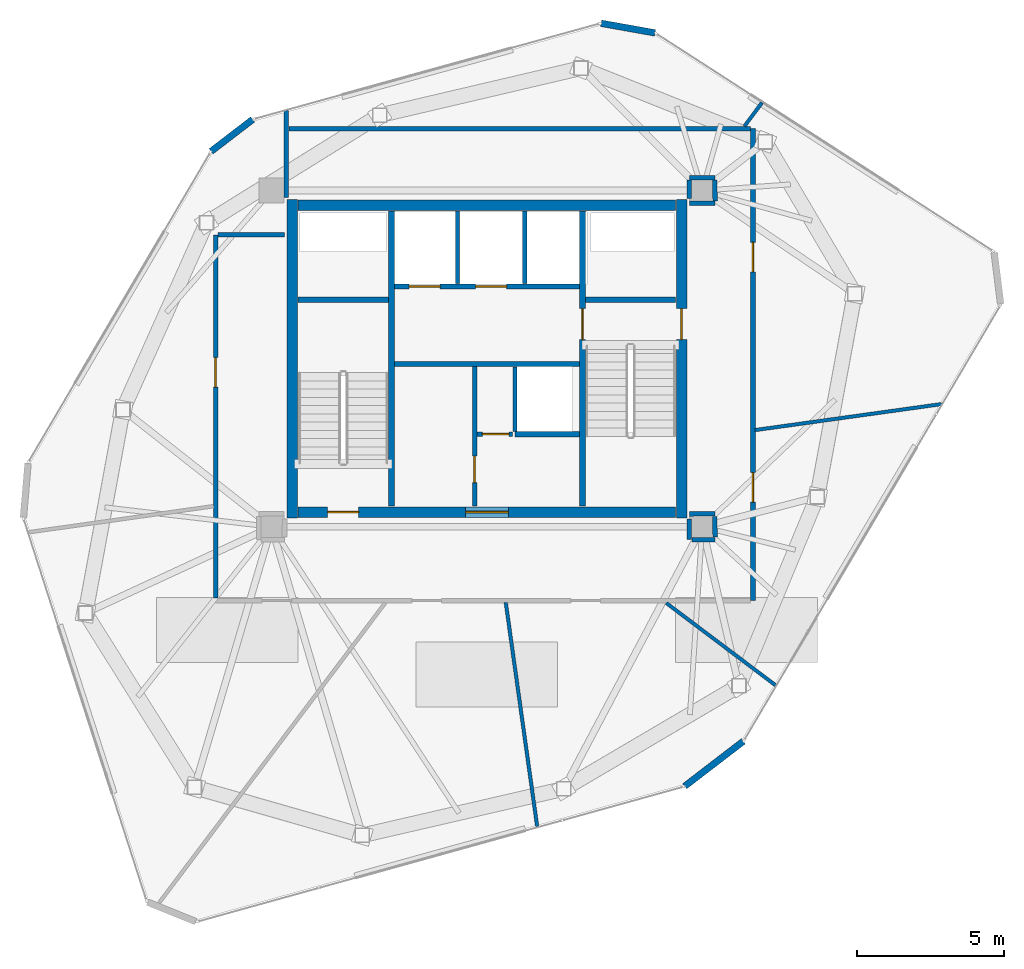
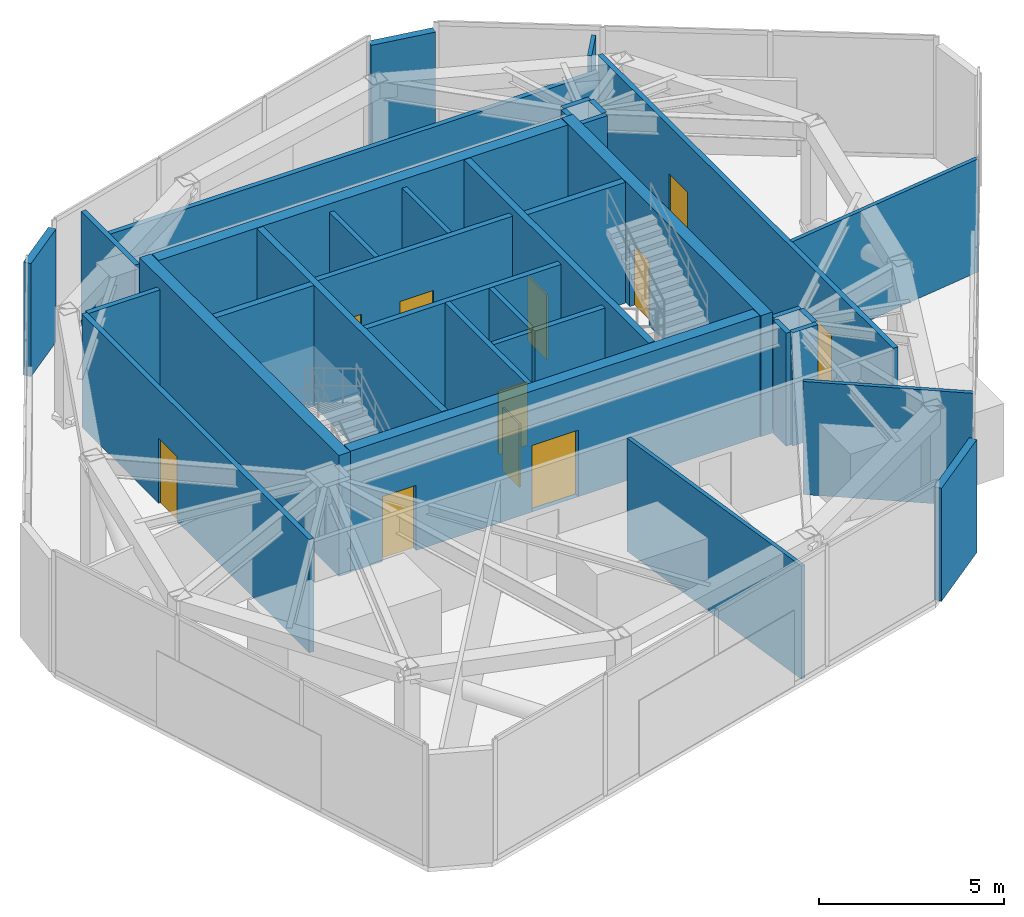
# One storey, part 16 of 19: 36 walls, 11 doors, 11 openings.
"""IFC4 building model written with IfcOpenShell, lengths in metres."""

from ifc_helpers import new_model, si_unit, direction, frame, frame_2d, origin, place, context, subcontext, project, spatial, rectangle, extrude, source, transform, mapped, material, layer, layer_set, type_object, type_shapes, element, fill, save


model = new_model("IFC4")

# Units and contexts
model_context = context("Model", 3, precision=1e-05, world=origin(), true_north=direction((0.0, 1.0)))
body_context = subcontext(model_context, "Body", "Model", "MODEL_VIEW")
ifc_project = project(units=[si_unit("LENGTHUNIT", "METRE"), si_unit("AREAUNIT", "SQUARE_METRE"), si_unit("VOLUMEUNIT", "CUBIC_METRE"), si_unit("PLANEANGLEUNIT", "RADIAN"), si_unit("MASSUNIT", "GRAM", prefix="KILO")], contexts=[model_context])

# Site, building, storey
site_placement = place(None, origin())
site = spatial("IfcSite", under=ifc_project, at=site_placement, CompositionType="ELEMENT")
building_placement = place(site_placement, origin())
building = spatial("IfcBuilding", under=site, at=building_placement, Name="Talar Marvaseh", CompositionType="ELEMENT")
storey_placement = place(building_placement, frame((0.0, 0.0, 296.0)))
storey = spatial("IfcBuildingStorey", under=building, at=storey_placement, Name="L79", CompositionType="ELEMENT", Elevation=296.0)

# Walls
ifc_material_1 = material(Name="Precast concrete C45/55", Category="concrete")
ifc_layer_1 = layer(ifc_material_1, 0.22509765625)
ifc_layer_set_1 = layer_set([ifc_layer_1], Name="Precast concrete C45/55")
wall_type_1 = type_object("IfcWallType", Name="Chamfered Hexagonal Corner Pier Wall Z4 225", PredefinedType="SOLIDWALL", material=ifc_layer_set_1)
wall_1_placement = place(storey_placement, frame((16.645263671875, 38.22900390625, 0.0), z_axis=(0.0, 0.0, 1.0), x_axis=(0.793337046591, 0.608782662784, 0.0)))
element("IfcWall", 1, at=wall_1_placement, inside=storey, type_object=wall_type_1, Name="L79 Chamfered Corner Limestone Pier 3", PredefinedType="SOLIDWALL", context=body_context, shape_type="SweptSolid", body=[
    extrude(rectangle(XDim=1.780517578125, YDim=0.22509765625, at=frame_2d((0.89013671875, 0.0))), origin(), (0.0, 0.0, 1.0), 3.739990234375),
])
wall_2_placement = place(storey_placement, frame((29.87060546875, 42.572509765625, 0.0), z_axis=(0.0, 0.0, 1.0), x_axis=(0.984422698671, -0.175817946583, 0.0)))
element("IfcWall", 2, at=wall_2_placement, inside=storey, type_object=wall_type_1, Name="L79 Chamfered Corner Limestone Pier 4", PredefinedType="SOLIDWALL", context=body_context, shape_type="SweptSolid", body=[
    extrude(rectangle(XDim=1.8564453125, YDim=0.22509765625, at=frame_2d((0.92822265625, 0.0))), origin(), (0.0, 0.0, 1.0), 3.739990234375),
])
wall_3_placement = place(storey_placement, frame((34.691650390625, 18.22802734375, 0.0), z_axis=(0.0, 0.0, 1.0), x_axis=(-0.79339589094, -0.60870597191, 0.0)))
element("IfcWall", 3, at=wall_3_placement, inside=storey, type_object=wall_type_1, Name="L79 Chamfered Corner Limestone Pier 6", PredefinedType="SOLIDWALL", context=body_context, shape_type="SweptSolid", body=[
    extrude(rectangle(XDim=2.50244140625, YDim=0.22509765625, at=frame_2d((1.251220703125, 0.0))), origin(), (0.0, 0.0, 1.0), 3.739990234375),
])

# Wall, opening, door
ifc_material_2 = material(Name="Gypsum Board Partition Assembly")
ifc_layer_2 = layer(ifc_material_2, 0.155029296875)
ifc_layer_set_2 = layer_set([ifc_layer_2], Name="Gypsum Board Partition Assembly")
wall_type_2 = type_object("IfcWallType", Name="Corridor Fire-Rated Acoustic Partition 155", PredefinedType="PARTITIONING", material=ifc_layer_set_2)
wall_4_placement = place(storey_placement, frame((25.580078125, 26.199951171875, 0.0), z_axis=(0.0, 0.0, 1.0), x_axis=(0.0, 1.0, 0.0)))
wall_4 = element("IfcWall", 4, at=wall_4_placement, inside=storey, type_object=wall_type_2, Name="L79 Core BOH Partition", PredefinedType="PARTITIONING", context=body_context, shape_type="SweptSolid", body=[
    extrude(rectangle(XDim=4.739990234375, YDim=0.155029296875, at=frame_2d((2.3701171875, 0.0))), origin(), (0.0, 0.0, 1.0), 3.739990234375),
])
opening_1_placement = place(wall_4_placement, frame((0.800048828125, 0.0, 0.0)))
opening_1 = element("IfcOpeningElement", 5, at=opening_1_placement, cuts=wall_4, Name="Opening DR-BOH090", PredefinedType="OPENING", context=body_context, shape_type="SweptSolid", body=[
    extrude(rectangle(XDim=0.89990234375, YDim=2.10009765625, at=frame_2d((0.449951171875, 1.050048828125))), frame((0.0, 0.08740234375, 0.0), z_axis=(0.0, -1.0, 0.0), x_axis=(1.0, 0.0, 0.0)), (0.0, 0.0, 1.0), 0.175048828125),
])
ifc_material_3 = material(Name="Fire-Rated Steel Door Leaf", Category="steel")
door_type_1 = type_object("IfcDoorType", Name="Core Back-of-House Service Door 900x2100", OperationType="NOTDEFINED", PredefinedType="DOOR", material=ifc_material_3)
shared_shape_1 = source(origin(), body_context, "Body", "SweptSolid", [
    extrude(rectangle(XDim=0.89990234375, YDim=2.10009765625, at=frame_2d((0.449951171875, 1.050048828125))), frame((0.0, 0.02490234375, 0.0), z_axis=(0.0, -1.0, 0.0), x_axis=(1.0, 0.0, 0.0)), (0.0, 0.0, 1.0), 0.050048828125),
])
type_shapes(door_type_1, [shared_shape_1])
door_1_placement = place(opening_1_placement, origin())
door_1 = element("IfcDoor", 6, at=door_1_placement, inside=storey, type_object=door_type_1, Name="L79 Store Sky Extended Archive Room Door", OperationType="SINGLE_SWING_LEFT", OverallHeight=2.10009765625, OverallWidth=0.89990234375, PredefinedType="DOOR", context=body_context, shape_type="MappedRepresentation", body=[
    mapped(shared_shape_1, transform((0.0, 0.0, 0.0), x_axis=(1.0, 0.0, 0.0), y_axis=(0.0, 1.0, 0.0), z_axis=(0.0, 0.0, 1.0), scale=1.0)),
])
fill(opening_1, door_1)

wall_5_placement = place(storey_placement, frame((25.66357421875, 28.639892578125, 0.0), z_axis=(0.0, 0.0, 1.0), x_axis=(1.0, 0.0, 0.0)))
wall_5 = element("IfcWall", 7, at=wall_5_placement, inside=storey, type_object=wall_type_2, Name="L79 Core BOH Partition", PredefinedType="PARTITIONING", context=body_context, shape_type="SweptSolid", body=[
    extrude(rectangle(XDim=1.196533203125, YDim=0.155029296875, at=frame_2d((0.59814453125, 0.0))), origin(), (0.0, 0.0, 1.0), 3.739990234375),
])
opening_2_placement = place(wall_5_placement, frame((0.179931640625, 0.0, 0.0)))
opening_2 = element("IfcOpeningElement", 8, at=opening_2_placement, cuts=wall_5, Name="Opening DR-BOH090", PredefinedType="OPENING", context=body_context, shape_type="SweptSolid", body=[
    extrude(rectangle(XDim=0.89990234375, YDim=2.10009765625, at=frame_2d((0.449951171875, 1.050048828125))), frame((0.0, 0.08740234375, 0.0), z_axis=(0.0, -1.0, 0.0), x_axis=(1.0, 0.0, 0.0)), (0.0, 0.0, 1.0), 0.175048828125),
])
door_2_placement = place(opening_2_placement, origin())
door_2 = element("IfcDoor", 9, at=door_2_placement, inside=storey, type_object=door_type_1, Name="L79 Cleaner Sky Closet Door", OperationType="SINGLE_SWING_RIGHT", OverallHeight=2.10009765625, OverallWidth=0.89990234375, PredefinedType="DOOR", context=body_context, shape_type="MappedRepresentation", body=[
    mapped(shared_shape_1, transform((0.0, 0.0, 0.0), x_axis=(1.0, 0.0, 0.0), y_axis=(0.0, 1.0, 0.0), z_axis=(0.0, 0.0, 1.0), scale=1.0)),
])
fill(opening_2, door_2)

# Wall, openings, doors
wall_6_placement = place(storey_placement, frame((35.02001953125, 39.0, 0.0), z_axis=(0.0, 0.0, 1.0), x_axis=(0.0, -1.0, 0.0)))
wall_6 = element("IfcWall", 10, at=wall_6_placement, inside=storey, type_object=wall_type_2, Name="L79 Interior Partition Wall", PredefinedType="PARTITIONING", context=body_context, shape_type="SweptSolid", body=[
    extrude(rectangle(XDim=16.0, YDim=0.155029296875, at=frame_2d((8.0, 0.0))), origin(), (0.0, 0.0, 1.0), 3.739990234375),
])
opening_3_placement = place(wall_6_placement, frame((11.6591796875, 0.0, 0.0)))
opening_3 = element("IfcOpeningElement", 11, at=opening_3_placement, cuts=wall_6, Name="Opening DR-RM100", PredefinedType="OPENING", context=body_context, shape_type="SweptSolid", body=[
    extrude(rectangle(XDim=1.0, YDim=2.14990234375, at=frame_2d((0.5, 1.074951171875))), frame((0.0, 0.08740234375, 0.0), z_axis=(0.0, -1.0, 0.0), x_axis=(1.0, 0.0, 0.0)), (0.0, 0.0, 1.0), 0.175048828125),
])
opening_4_placement = place(wall_6_placement, frame((3.856201171875, 0.0, 0.0)))
opening_4 = element("IfcOpeningElement", 12, at=opening_4_placement, cuts=wall_6, Name="Opening DR-RM100", PredefinedType="OPENING", context=body_context, shape_type="SweptSolid", body=[
    extrude(rectangle(XDim=1.0, YDim=2.14990234375, at=frame_2d((0.5, 1.074951171875))), frame((0.0, 0.08740234375, 0.0), z_axis=(0.0, -1.0, 0.0), x_axis=(1.0, 0.0, 0.0)), (0.0, 0.0, 1.0), 0.175048828125),
])
ifc_material_4 = material(Name="Acoustic Engineered Oak Timber", Category="wood")
door_type_2 = type_object("IfcDoorType", Name="Corridor Fire-Rated Gallery Door 1000x2150", OperationType="NOTDEFINED", PredefinedType="DOOR", material=ifc_material_4)
shared_shape_2 = source(origin(), body_context, "Body", "SweptSolid", [
    extrude(rectangle(XDim=1.0, YDim=2.14990234375, at=frame_2d((0.5, 1.074951171875))), frame((0.0, 0.02490234375, 0.0), z_axis=(0.0, -1.0, 0.0), x_axis=(1.0, 0.0, 0.0)), (0.0, 0.0, 1.0), 0.050048828125),
])
type_shapes(door_type_2, [shared_shape_2])
door_3_placement = place(opening_3_placement, origin())
door_3 = element("IfcDoor", 13, at=door_3_placement, inside=storey, type_object=door_type_2, Name="L79 HV Transformer Switchroom Door", OperationType="SINGLE_SWING_LEFT", OverallHeight=2.14990234375, OverallWidth=1.0, PredefinedType="DOOR", context=body_context, shape_type="MappedRepresentation", body=[
    mapped(shared_shape_2, transform((0.0, 0.0, 0.0), x_axis=(1.0, 0.0, 0.0), y_axis=(0.0, 1.0, 0.0), z_axis=(0.0, 0.0, 1.0), scale=1.0)),
])
fill(opening_3, door_3)
door_4_placement = place(opening_4_placement, origin())
door_4 = element("IfcDoor", 14, at=door_4_placement, inside=storey, type_object=door_type_2, Name="L79 Heat Recovery Mechanical Plant Room Door", OperationType="SINGLE_SWING_RIGHT", OverallHeight=2.14990234375, OverallWidth=1.0, PredefinedType="DOOR", context=body_context, shape_type="MappedRepresentation", body=[
    mapped(shared_shape_2, transform((0.0, 0.0, 0.0), x_axis=(1.0, 0.0, 0.0), y_axis=(0.0, 1.0, 0.0), z_axis=(0.0, 0.0, 1.0), scale=1.0)),
])
fill(opening_4, door_4)

# Wall, opening, door
wall_7_placement = place(storey_placement, frame((16.800048828125, 23.08349609375, 0.0), z_axis=(0.0, 0.0, 1.0), x_axis=(0.0, 1.0, 0.0)))
wall_7 = element("IfcWall", 15, at=wall_7_placement, inside=storey, type_object=wall_type_2, Name="L79 Interior Partition Wall", PredefinedType="PARTITIONING", context=body_context, shape_type="SweptSolid", body=[
    extrude(rectangle(XDim=12.31640625, YDim=0.155029296875, at=frame_2d((6.158203125, 0.0))), origin(), (0.0, 0.0, 1.0), 3.739990234375),
])
opening_5_placement = place(wall_7_placement, frame((7.1494140625, 0.0, 0.0)))
opening_5 = element("IfcOpeningElement", 16, at=opening_5_placement, cuts=wall_7, Name="Opening DR-RM100", PredefinedType="OPENING", context=body_context, shape_type="SweptSolid", body=[
    extrude(rectangle(XDim=1.0, YDim=2.14990234375, at=frame_2d((0.5, 1.074951171875))), frame((0.0, 0.08740234375, 0.0), z_axis=(0.0, -1.0, 0.0), x_axis=(1.0, 0.0, 0.0)), (0.0, 0.0, 1.0), 0.175048828125),
])
door_5_placement = place(opening_5_placement, origin())
door_5 = element("IfcDoor", 17, at=door_5_placement, inside=storey, type_object=door_type_2, Name="L79 BMS Telecoms Control Plant Room Door", OperationType="SINGLE_SWING_LEFT", OverallHeight=2.14990234375, OverallWidth=1.0, PredefinedType="DOOR", context=body_context, shape_type="MappedRepresentation", body=[
    mapped(shared_shape_2, transform((0.0, 0.0, 0.0), x_axis=(1.0, 0.0, 0.0), y_axis=(0.0, 1.0, 0.0), z_axis=(0.0, 0.0, 1.0), scale=1.0)),
])
fill(opening_5, door_5)

# Walls
wall_8_placement = place(storey_placement, frame((16.883544921875, 35.39990234375, 0.0), z_axis=(0.0, 0.0, 1.0), x_axis=(1.0, 0.0, 0.0)))
element("IfcWall", 18, at=wall_8_placement, inside=storey, type_object=wall_type_2, Name="L79 Interior Partition Wall", PredefinedType="PARTITIONING", context=body_context, shape_type="SweptSolid", body=[
    extrude(rectangle(XDim=2.246337890625, YDim=0.155029296875, at=frame_2d((1.123046875, 0.0))), origin(), (0.0, 0.0, 1.0), 3.739990234375),
])
wall_9_placement = place(storey_placement, frame((19.199951171875, 36.669921875, 0.0), z_axis=(0.0, 0.0, 1.0), x_axis=(0.0, 1.0, 0.0)))
element("IfcWall", 19, at=wall_9_placement, inside=storey, type_object=wall_type_2, Name="L79 Interior Partition Wall", PredefinedType="PARTITIONING", context=body_context, shape_type="SweptSolid", body=[
    extrude(rectangle(XDim=2.93798828125, YDim=0.155029296875, at=frame_2d((1.468994140625, 0.0))), origin(), (0.0, 0.0, 1.0), 3.739990234375),
])
wall_10_placement = place(storey_placement, frame((19.283447265625, 39.0, 0.0), z_axis=(0.0, 0.0, 1.0), x_axis=(1.0, 0.0, 0.0)))
element("IfcWall", 20, at=wall_10_placement, inside=storey, type_object=wall_type_2, Name="L79 Interior Partition Wall", PredefinedType="PARTITIONING", context=body_context, shape_type="SweptSolid", body=[
    extrude(rectangle(XDim=15.653076171875, YDim=0.155029296875, at=frame_2d((7.82666015625, 0.0))), origin(), (0.0, 0.0, 1.0), 3.215087890625),
])
wall_11_placement = place(storey_placement, frame((33.72509765625, 25.93994140625, 0.0), z_axis=(0.0, 0.0, 1.0), x_axis=(-0.999986790873, -0.005139852152, 0.0)))
element("IfcWall", 21, at=wall_11_placement, inside=storey, type_object=wall_type_2, Name="L79 Interior Partition Wall", PredefinedType="PARTITIONING", context=body_context, shape_type="SweptSolid", body=[
    extrude(rectangle(XDim=0.85498046875, YDim=0.155029296875, at=frame_2d((0.427490234375, 0.0))), origin(), (0.0, 0.0, 1.0), 3.739990234375),
])
wall_12_placement = place(storey_placement, frame((32.864501953125, 25.772705078125, 0.0), z_axis=(0.0, 0.0, 1.0), x_axis=(0.0, -1.0, 0.0)))
element("IfcWall", 22, at=wall_12_placement, inside=storey, type_object=wall_type_2, Name="L79 Interior Partition Wall", PredefinedType="PARTITIONING", context=body_context, shape_type="SweptSolid", body=[
    extrude(rectangle(XDim=0.708251953125, YDim=0.155029296875, at=frame_2d((0.35400390625, 0.0))), origin(), (0.0, 0.0, 1.0), 3.739990234375),
])
wall_13_placement = place(storey_placement, frame((32.947998046875, 25.064453125, 0.0), z_axis=(0.0, 0.0, 1.0), x_axis=(1.0, 0.0, 0.0)))
element("IfcWall", 23, at=wall_13_placement, inside=storey, type_object=wall_type_2, Name="L79 Interior Partition Wall", PredefinedType="PARTITIONING", context=body_context, shape_type="SweptSolid", body=[
    extrude(rectangle(XDim=0.78759765625, YDim=0.155029296875, at=frame_2d((0.393798828125, 0.0))), origin(), (0.0, 0.0, 1.0), 3.739990234375),
])
wall_14_placement = place(storey_placement, frame((33.734619140625, 25.14794921875, 0.0), z_axis=(0.0, 0.0, 1.0), x_axis=(-0.012059770759, 0.99992727832, 0.0)))
element("IfcWall", 24, at=wall_14_placement, inside=storey, type_object=wall_type_2, Name="L79 Interior Partition Wall", PredefinedType="PARTITIONING", context=body_context, shape_type="SweptSolid", body=[
    extrude(rectangle(XDim=0.70849609375, YDim=0.155029296875, at=frame_2d((0.354248046875, 0.0))), origin(), (0.0, 0.0, 1.0), 3.739990234375),
])
wall_15_placement = place(storey_placement, frame((33.72509765625, 37.340087890625, 0.0), z_axis=(0.0, 0.0, 1.0), x_axis=(-0.999986962681, -0.005106316405, 0.0)))
element("IfcWall", 25, at=wall_15_placement, inside=storey, type_object=wall_type_2, Name="L79 Interior Partition Wall", PredefinedType="PARTITIONING", context=body_context, shape_type="SweptSolid", body=[
    extrude(rectangle(XDim=0.860595703125, YDim=0.155029296875, at=frame_2d((0.43017578125, 0.0))), origin(), (0.0, 0.0, 1.0), 3.739990234375),
])
wall_16_placement = place(storey_placement, frame((32.864501953125, 37.252197265625, 0.0), z_axis=(0.0, 0.0, 1.0), x_axis=(0.0, -1.0, 0.0)))
element("IfcWall", 26, at=wall_16_placement, inside=storey, type_object=wall_type_2, Name="L79 Interior Partition Wall", PredefinedType="PARTITIONING", context=body_context, shape_type="SweptSolid", body=[
    extrude(rectangle(XDim=0.624755859375, YDim=0.155029296875, at=frame_2d((0.3125, 0.0))), origin(), (0.0, 0.0, 1.0), 3.739990234375),
])
wall_17_placement = place(storey_placement, frame((32.8701171875, 36.46435546875, 0.0), z_axis=(0.0, 0.0, 1.0), x_axis=(1.0, 0.0, 0.0)))
element("IfcWall", 27, at=wall_17_placement, inside=storey, type_object=wall_type_2, Name="L79 Interior Partition Wall", PredefinedType="PARTITIONING", context=body_context, shape_type="SweptSolid", body=[
    extrude(rectangle(XDim=0.865478515625, YDim=0.155029296875, at=frame_2d((0.4326171875, 0.0))), origin(), (0.0, 0.0, 1.0), 3.739990234375),
])
wall_18_placement = place(storey_placement, frame((33.734619140625, 36.5478515625, 0.0), z_axis=(0.0, 0.0, 1.0), x_axis=(-0.012055617118, 0.999927328407, 0.0)))
element("IfcWall", 28, at=wall_18_placement, inside=storey, type_object=wall_type_2, Name="L79 Interior Partition Wall", PredefinedType="PARTITIONING", context=body_context, shape_type="SweptSolid", body=[
    extrude(rectangle(XDim=0.708740234375, YDim=0.155029296875, at=frame_2d((0.3544921875, 0.0))), origin(), (0.0, 0.0, 1.0), 3.739990234375),
])
ifc_layer_3 = layer(ifc_material_2, 0.1201171875)
ifc_layer_set_3 = layer_set([ifc_layer_3], Name="Gypsum Board Partition Assembly")
wall_type_3 = type_object("IfcWallType", Name="Demountable Studio Room Partition 120", PredefinedType="PARTITIONING", material=ifc_layer_set_3)
wall_19_placement = place(storey_placement, frame((26.638916015625, 22.935546875, 0.0), z_axis=(0.0, 0.0, 1.0), x_axis=(0.13884134835, -0.990314636865, 0.0)))
element("IfcWall", 29, at=wall_19_placement, inside=storey, type_object=wall_type_3, Name="L79 Interior Partition Wall", PredefinedType="PARTITIONING", context=body_context, shape_type="SweptSolid", body=[
    extrude(rectangle(XDim=7.671875, YDim=0.1201171875, at=frame_2d((3.8359375, 0.0))), origin(), (0.0, 0.0, 1.0), 3.739990234375),
])
wall_20_placement = place(storey_placement, frame((32.080810546875, 22.91650390625, 0.0), z_axis=(0.0, 0.0, 1.0), x_axis=(0.798962998149, -0.601380185563, 0.0)))
element("IfcWall", 30, at=wall_20_placement, inside=storey, type_object=wall_type_3, Name="L79 Interior Partition Wall", PredefinedType="PARTITIONING", context=body_context, shape_type="SweptSolid", body=[
    extrude(rectangle(XDim=4.638671875, YDim=0.1201171875, at=frame_2d((2.3193359375, 0.0))), origin(), (0.0, 0.0, 1.0), 3.739990234375),
])
wall_21_placement = place(storey_placement, frame((35.08447265625, 28.779052734375, 0.0), z_axis=(0.0, 0.0, 1.0), x_axis=(0.99042386552, 0.138060010893, 0.0)))
element("IfcWall", 31, at=wall_21_placement, inside=storey, type_object=wall_type_3, Name="L79 Interior Partition Wall", PredefinedType="PARTITIONING", context=body_context, shape_type="SweptSolid", body=[
    extrude(rectangle(XDim=6.387451171875, YDim=0.1201171875, at=frame_2d((3.19384765625, 0.0))), origin(), (0.0, 0.0, 1.0), 3.739990234375),
])
wall_22_placement = place(storey_placement, frame((34.732177734375, 39.08349609375, 0.0), z_axis=(0.0, 0.0, 1.0), x_axis=(0.596572882673, 0.802558904791, 0.0)))
element("IfcWall", 32, at=wall_22_placement, inside=storey, type_object=wall_type_3, Name="L79 Interior Partition Wall", PredefinedType="PARTITIONING", context=body_context, shape_type="SweptSolid", body=[
    extrude(rectangle(XDim=0.9931640625, YDim=0.1201171875, at=frame_2d((0.49658203125, 0.0))), origin(), (0.0, 0.0, 1.0), 3.739990234375),
])
ifc_layer_4 = layer(ifc_material_1, 0.14501953125)
ifc_layer_set_4 = layer_set([ifc_layer_4], Name="Precast concrete C45/55")
wall_type_4 = type_object("IfcWallType", Name="Fire-Rated Lift Divider Wall 145", PredefinedType="SOLIDWALL", material=ifc_layer_set_4)
for number, where, z_axis, x_axis, name in (
    (33, (25.0, 33.743408203125, 0.0), (0.0, 0.0, 1.0), (0.0, 1.0, 0.0), "L79 FFL-1/FFL-2 Divider"),
    (34, (27.280029296875, 33.743408203125, 0.0), (0.0, 0.0, 1.0), (0.0, 1.0, 0.0), "L79 FFL-2/SVL-1 Divider"),
):
    element("IfcWall", number, at=place(storey_placement, frame(where, z_axis=z_axis, x_axis=x_axis)), inside=storey, type_object=wall_type_4, Name=name, PredefinedType="SOLIDWALL", context=body_context, shape_type="SweptSolid", body=[
        extrude(rectangle(XDim=2.45654296875, YDim=0.14501953125, at=frame_2d((1.228271484375, 0.0))), origin(), (0.0, 0.0, 1.0), 3.739990234375),
    ])
wall_23_placement = place(storey_placement, frame((26.949951171875, 28.7333984375, 0.0), z_axis=(0.0, 0.0, 1.0), x_axis=(0.0, 1.0, 0.0)))
element("IfcWall", 35, at=wall_23_placement, inside=storey, type_object=wall_type_4, Name="L79 PL-H3 West Shaft Wall", PredefinedType="SOLIDWALL", context=body_context, shape_type="SweptSolid", body=[
    extrude(rectangle(XDim=2.193115234375, YDim=0.14501953125, at=frame_2d((1.0966796875, 0.0))), origin(), (0.0, 0.0, 1.0), 3.739990234375),
])

# Wall, openings, doors
ifc_layer_5 = layer(ifc_material_1, 0.175048828125)
ifc_layer_set_5 = layer_set([ifc_layer_5], Name="Precast concrete C45/55")
wall_type_5 = type_object("IfcWallType", Name="Fire-Rated Lift Hoistway Enclosure Wall 175", PredefinedType="SOLIDWALL", material=ifc_layer_set_5)
wall_24_placement = place(storey_placement, frame((22.860107421875, 33.64990234375, 0.0), z_axis=(0.0, 0.0, 1.0), x_axis=(1.0, 0.0, 0.0)))
wall_24 = element("IfcWall", 36, at=wall_24_placement, inside=storey, type_object=wall_type_5, Name="L79 Firefighting and Service Lift Front Wall", PredefinedType="SOLIDWALL", context=body_context, shape_type="SweptSolid", body=[
    extrude(rectangle(XDim=6.27978515625, YDim=0.175048828125, at=frame_2d((3.139892578125, 0.0))), origin(), (0.0, 0.0, 1.0), 3.739990234375),
])
opening_6_placement = place(wall_24_placement, frame((0.5, 0.0, 0.0)))
opening_6 = element("IfcOpeningElement", 37, at=opening_6_placement, cuts=wall_24, Name="Opening LD-FF1", PredefinedType="OPENING", context=body_context, shape_type="SweptSolid", body=[
    extrude(rectangle(XDim=1.050048828125, YDim=2.14990234375, at=frame_2d((0.52490234375, 1.074951171875))), frame((0.0, 0.09765625, 0.0), z_axis=(0.0, -1.0, 0.0), x_axis=(1.0, 0.0, 0.0)), (0.0, 0.0, 1.0), 0.195068359375),
])
opening_7_placement = place(wall_24_placement, frame((2.760009765625, 0.0, 0.0)))
opening_7 = element("IfcOpeningElement", 38, at=opening_7_placement, cuts=wall_24, Name="Opening LD-FF2", PredefinedType="OPENING", context=body_context, shape_type="SweptSolid", body=[
    extrude(rectangle(XDim=1.050048828125, YDim=2.14990234375, at=frame_2d((0.52490234375, 1.074951171875))), frame((0.0, 0.09765625, 0.0), z_axis=(0.0, -1.0, 0.0), x_axis=(1.0, 0.0, 0.0)), (0.0, 0.0, 1.0), 0.195068359375),
])
ifc_material_5 = material(Name="Stainless Steel Grade 316", Category="steel")
door_type_3 = type_object("IfcDoorType", Name="Automatic Sliding Lift Landing Door 1050x2150", OperationType="NOTDEFINED", PredefinedType="DOOR", material=ifc_material_5)
shared_shape_3 = source(origin(), body_context, "Body", "SweptSolid", [
    extrude(rectangle(XDim=1.050048828125, YDim=2.14990234375, at=frame_2d((0.52490234375, 1.074951171875))), frame((0.0, 0.02490234375, 0.0), z_axis=(0.0, -1.0, 0.0), x_axis=(1.0, 0.0, 0.0)), (0.0, 0.0, 1.0), 0.050048828125),
])
type_shapes(door_type_3, [shared_shape_3])
door_6_placement = place(opening_6_placement, origin())
door_6 = element("IfcDoor", 39, at=door_6_placement, inside=storey, type_object=door_type_3, Name="L79 Lift FFL-1 Sliding Landing Door", OperationType="SLIDING_TO_LEFT", OverallHeight=2.14990234375, OverallWidth=1.050048828125, PredefinedType="DOOR", context=body_context, shape_type="MappedRepresentation", body=[
    mapped(shared_shape_3, transform((0.0, 0.0, 0.0), x_axis=(1.0, 0.0, 0.0), y_axis=(0.0, 1.0, 0.0), z_axis=(0.0, 0.0, 1.0), scale=1.0)),
])
fill(opening_6, door_6)
door_7_placement = place(opening_7_placement, origin())
door_7 = element("IfcDoor", 40, at=door_7_placement, inside=storey, type_object=door_type_3, Name="L79 Lift FFL-2 Sliding Landing Door", OperationType="SLIDING_TO_LEFT", OverallHeight=2.14990234375, OverallWidth=1.050048828125, PredefinedType="DOOR", context=body_context, shape_type="MappedRepresentation", body=[
    mapped(shared_shape_3, transform((0.0, 0.0, 0.0), x_axis=(1.0, 0.0, 0.0), y_axis=(0.0, 1.0, 0.0), z_axis=(0.0, 0.0, 1.0), scale=1.0)),
])
fill(opening_7, door_7)

# Walls
wall_25_placement = place(storey_placement, frame((22.860107421875, 31.02001953125, 0.0), z_axis=(0.0, 0.0, 1.0), x_axis=(1.0, 0.0, 0.0)))
element("IfcWall", 41, at=wall_25_placement, inside=storey, type_object=wall_type_5, Name="L79 Firefighting Lobby South Smoke Wall", PredefinedType="SOLIDWALL", context=body_context, shape_type="SweptSolid", body=[
    extrude(rectangle(XDim=6.27978515625, YDim=0.175048828125, at=frame_2d((3.139892578125, 0.0))), origin(), (0.0, 0.0, 1.0), 3.739990234375),
])
wall_26_placement = place(storey_placement, frame((26.949951171875, 28.639892578125, 0.0), z_axis=(0.0, 0.0, 1.0), x_axis=(1.0, 0.0, 0.0)))
element("IfcWall", 42, at=wall_26_placement, inside=storey, type_object=wall_type_5, Name="L79 Sky Express Lift Front Wall", PredefinedType="SOLIDWALL", context=body_context, shape_type="SweptSolid", body=[
    extrude(rectangle(XDim=2.18994140625, YDim=0.175048828125, at=frame_2d((1.094970703125, 0.0))), origin(), (0.0, 0.0, 1.0), 3.739990234375),
])
ifc_material_6 = material(Name="Concrete C50/60", Category="concrete")
ifc_layer_6 = layer(ifc_material_6, 0.199951171875)
ifc_layer_set_6 = layer_set([ifc_layer_6], Name="Concrete C50/60")
wall_type_6 = type_object("IfcWallType", Name="Stair Shaft Structural Concrete Shear Wall 200", PredefinedType="SHEAR", material=ifc_layer_set_6)
wall_27_placement = place(storey_placement, frame((22.760009765625, 26.199951171875, 0.0), z_axis=(0.0, 0.0, 1.0), x_axis=(0.0, 1.0, 0.0)))
element("IfcWall", 43, at=wall_27_placement, inside=storey, type_object=wall_type_6, Name="L79 Core West Stair Shear Wall", PredefinedType="SHEAR", context=body_context, shape_type="SweptSolid", body=[
    extrude(rectangle(XDim=10.0, YDim=0.199951171875, at=frame_2d((5.0, 0.0))), origin(), (0.0, 0.0, 1.0), 4.0),
])

# Wall, opening, door
wall_28_placement = place(storey_placement, frame((29.239990234375, 26.199951171875, 0.0), z_axis=(0.0, 0.0, 1.0), x_axis=(0.0, 1.0, 0.0)))
wall_28 = element("IfcWall", 44, at=wall_28_placement, inside=storey, type_object=wall_type_6, Name="L79 Core East Stair Shear Wall", PredefinedType="SHEAR", context=body_context, shape_type="SweptSolid", body=[
    extrude(rectangle(XDim=10.0, YDim=0.199951171875, at=frame_2d((5.0, 0.0))), origin(), (0.0, 0.0, 1.0), 4.0),
])
opening_8_placement = place(wall_28_placement, frame((5.64990234375, 0.0, 0.0)))
opening_8 = element("IfcOpeningElement", 45, at=opening_8_placement, cuts=wall_28, Name="Opening DR-ST105", PredefinedType="OPENING", context=body_context, shape_type="SweptSolid", body=[
    extrude(rectangle(XDim=1.050048828125, YDim=2.14990234375, at=frame_2d((0.52490234375, 1.074951171875))), frame((0.0, 0.10986328125, 0.0), z_axis=(0.0, -1.0, 0.0), x_axis=(1.0, 0.0, 0.0)), (0.0, 0.0, 1.0), 0.219970703125),
])
door_type_4 = type_object("IfcDoorType", Name="Protected Exit Stair Fire Door 1050x2150", OperationType="NOTDEFINED", PredefinedType="DOOR", material=ifc_material_3)
shared_shape_4 = source(origin(), body_context, "Body", "SweptSolid", [
    extrude(rectangle(XDim=1.050048828125, YDim=2.14990234375, at=frame_2d((0.52490234375, 1.074951171875))), frame((0.0, 0.02490234375, 0.0), z_axis=(0.0, -1.0, 0.0), x_axis=(1.0, 0.0, 0.0)), (0.0, 0.0, 1.0), 0.050048828125),
])
type_shapes(door_type_4, [shared_shape_4])
door_8_placement = place(opening_8_placement, origin())
door_8 = element("IfcDoor", 46, at=door_8_placement, inside=storey, type_object=door_type_4, Name="L79 Firefighting Lobby to Stair ST-2 Door", OperationType="SINGLE_SWING_LEFT", OverallHeight=2.14990234375, OverallWidth=1.050048828125, PredefinedType="DOOR", context=body_context, shape_type="MappedRepresentation", body=[
    mapped(shared_shape_4, transform((0.0, 0.0, 0.0), x_axis=(1.0, 0.0, 0.0), y_axis=(0.0, 1.0, 0.0), z_axis=(0.0, 0.0, 1.0), scale=1.0)),
])
fill(opening_8, door_8)

# Walls
for number, where, z_axis, x_axis, name in (
    (47, (19.60009765625, 33.199951171875, 0.0), (0.0, 0.0, 1.0), (1.0, 0.0, 0.0), "L79 Stair ST-1 North Shear Wall"),
    (48, (29.340087890625, 33.199951171875, 0.0), (0.0, 0.0, 1.0), (1.0, 0.0, 0.0), "L79 Stair ST-2 North Shear Wall"),
):
    element("IfcWall", number, at=place(storey_placement, frame(where, z_axis=z_axis, x_axis=x_axis)), inside=storey, type_object=wall_type_6, Name=name, PredefinedType="SHEAR", context=body_context, shape_type="SweptSolid", body=[
        extrude(rectangle(XDim=3.059814453125, YDim=0.199951171875, at=frame_2d((1.52978515625, 0.0))), origin(), (0.0, 0.0, 1.0), 4.0),
    ])
ifc_layer_7 = layer(ifc_material_6, 0.360107421875)
ifc_layer_set_7 = layer_set([ifc_layer_7], Name="Concrete C50/60")
wall_type_7 = type_object("IfcWallType", Name="Upper Core Reinforced Concrete Shear Wall 360", PredefinedType="SHEAR", material=ifc_layer_set_7)
wall_29_placement = place(storey_placement, frame((19.39990234375, 25.800048828125, 0.0), z_axis=(0.0, 0.0, 1.0), x_axis=(0.0, 1.0, 0.0)))
element("IfcWall", 49, at=wall_29_placement, inside=storey, type_object=wall_type_7, Name="L79 West Core Shear Wall", PredefinedType="SHEAR", context=body_context, shape_type="SweptSolid", body=[
    extrude(rectangle(XDim=10.800048828125, YDim=0.360107421875, at=frame_2d((5.39990234375, 0.0))), origin(), (0.0, 0.0, 1.0), 4.0),
])

# Wall, opening, door
wall_30_placement = place(storey_placement, frame((32.60009765625, 36.60009765625, 0.0), z_axis=(0.0, 0.0, 1.0), x_axis=(0.0, -1.0, 0.0)))
wall_30 = element("IfcWall", 50, at=wall_30_placement, inside=storey, type_object=wall_type_7, Name="L79 East Core Shear Wall", PredefinedType="SHEAR", context=body_context, shape_type="SweptSolid", body=[
    extrude(rectangle(XDim=10.800048828125, YDim=0.360107421875, at=frame_2d((5.39990234375, 0.0))), origin(), (0.0, 0.0, 1.0), 4.0),
])
opening_9_placement = place(wall_30_placement, frame((3.699951171875, 0.0, 0.0)))
opening_9 = element("IfcOpeningElement", 51, at=opening_9_placement, cuts=wall_30, Name="Opening DR-ST105", PredefinedType="OPENING", context=body_context, shape_type="SweptSolid", body=[
    extrude(rectangle(XDim=1.050048828125, YDim=2.14990234375, at=frame_2d((0.52490234375, 1.074951171875))), frame((0.0, 0.18994140625, 0.0), z_axis=(0.0, -1.0, 0.0), x_axis=(1.0, 0.0, 0.0)), (0.0, 0.0, 1.0), 0.380126953125),
])
door_9_placement = place(opening_9_placement, origin())
door_9 = element("IfcDoor", 52, at=door_9_placement, inside=storey, type_object=door_type_4, Name="L79 Stair ST-2 Corridor Exit Door", OperationType="SINGLE_SWING_LEFT", OverallHeight=2.14990234375, OverallWidth=1.050048828125, PredefinedType="DOOR", context=body_context, shape_type="MappedRepresentation", body=[
    mapped(shared_shape_4, transform((0.0, 0.0, 0.0), x_axis=(1.0, 0.0, 0.0), y_axis=(0.0, 1.0, 0.0), z_axis=(0.0, 0.0, 1.0), scale=1.0)),
])
fill(opening_9, door_9)

# Wall
wall_31_placement = place(storey_placement, frame((19.60009765625, 36.39990234375, 0.0), z_axis=(0.0, 0.0, 1.0), x_axis=(1.0, 0.0, 0.0)))
element("IfcWall", 53, at=wall_31_placement, inside=storey, type_object=wall_type_7, Name="L79 North Core Shear Wall", PredefinedType="SHEAR", context=body_context, shape_type="SweptSolid", body=[
    extrude(rectangle(XDim=12.7998046875, YDim=0.360107421875, at=frame_2d((6.39990234375, 0.0))), origin(), (0.0, 0.0, 1.0), 4.0),
])

# Wall, openings, doors
wall_32_placement = place(storey_placement, frame((32.39990234375, 26.0, 0.0), z_axis=(0.0, 0.0, 1.0), x_axis=(-1.0, 0.0, 0.0)))
wall_32 = element("IfcWall", 54, at=wall_32_placement, inside=storey, type_object=wall_type_7, Name="L79 South Core Shear Wall", PredefinedType="SHEAR", context=body_context, shape_type="SweptSolid", body=[
    extrude(rectangle(XDim=12.7998046875, YDim=0.360107421875, at=frame_2d((6.39990234375, 0.0))), origin(), (0.0, 0.0, 1.0), 4.0),
])
opening_10_placement = place(wall_32_placement, frame((10.75, 0.0, 0.0)))
opening_10 = element("IfcOpeningElement", 55, at=opening_10_placement, cuts=wall_32, Name="Opening DR-ST105", PredefinedType="OPENING", context=body_context, shape_type="SweptSolid", body=[
    extrude(rectangle(XDim=1.050048828125, YDim=2.14990234375, at=frame_2d((0.52490234375, 1.074951171875))), frame((0.0, 0.18994140625, 0.0), z_axis=(0.0, -1.0, 0.0), x_axis=(1.0, 0.0, 0.0)), (0.0, 0.0, 1.0), 0.380126953125),
])
opening_11_placement = place(wall_32_placement, frame((5.669921875, 0.0, 0.0)))
opening_11 = element("IfcOpeningElement", 56, at=opening_11_placement, cuts=wall_32, Name="Opening DR-LBY145", PredefinedType="OPENING", context=body_context, shape_type="SweptSolid", body=[
    extrude(rectangle(XDim=1.449951171875, YDim=2.199951171875, at=frame_2d((0.72509765625, 1.10009765625))), frame((0.0, 0.18994140625, 0.0), z_axis=(0.0, -1.0, 0.0), x_axis=(1.0, 0.0, 0.0)), (0.0, 0.0, 1.0), 0.380126953125),
])
door_10_placement = place(opening_10_placement, origin())
door_10 = element("IfcDoor", 57, at=door_10_placement, inside=storey, type_object=door_type_4, Name="L79 Stair ST-1 Exit Door", OperationType="SINGLE_SWING_RIGHT", OverallHeight=2.14990234375, OverallWidth=1.050048828125, PredefinedType="DOOR", context=body_context, shape_type="MappedRepresentation", body=[
    mapped(shared_shape_4, transform((0.0, 0.0, 0.0), x_axis=(1.0, 0.0, 0.0), y_axis=(0.0, 1.0, 0.0), z_axis=(0.0, 0.0, 1.0), scale=1.0)),
])
fill(opening_10, door_10)
door_type_5 = type_object("IfcDoorType", Name="Core Lift Lobby Double Smoke Door 1450x2200", OperationType="NOTDEFINED", PredefinedType="DOOR", material=ifc_material_3)
shared_shape_5 = source(origin(), body_context, "Body", "SweptSolid", [
    extrude(rectangle(XDim=1.449951171875, YDim=2.199951171875, at=frame_2d((0.72509765625, 1.10009765625))), frame((0.0, 0.02490234375, 0.0), z_axis=(0.0, -1.0, 0.0), x_axis=(1.0, 0.0, 0.0)), (0.0, 0.0, 1.0), 0.050048828125),
])
type_shapes(door_type_5, [shared_shape_5])
door_11_placement = place(opening_11_placement, origin())
door_11 = element("IfcDoor", 58, at=door_11_placement, inside=storey, type_object=door_type_5, Name="L79 Passenger Lift Lobby Entrance Door", OperationType="DOUBLE_DOOR_SINGLE_SWING", OverallHeight=2.199951171875, OverallWidth=1.449951171875, PredefinedType="DOOR", context=body_context, shape_type="MappedRepresentation", body=[
    mapped(shared_shape_5, transform((0.0, 0.0, 0.0), x_axis=(1.0, 0.0, 0.0), y_axis=(0.0, 1.0, 0.0), z_axis=(0.0, 0.0, 1.0), scale=1.0)),
])
fill(opening_11, door_11)

save(model, "model.ifc")
